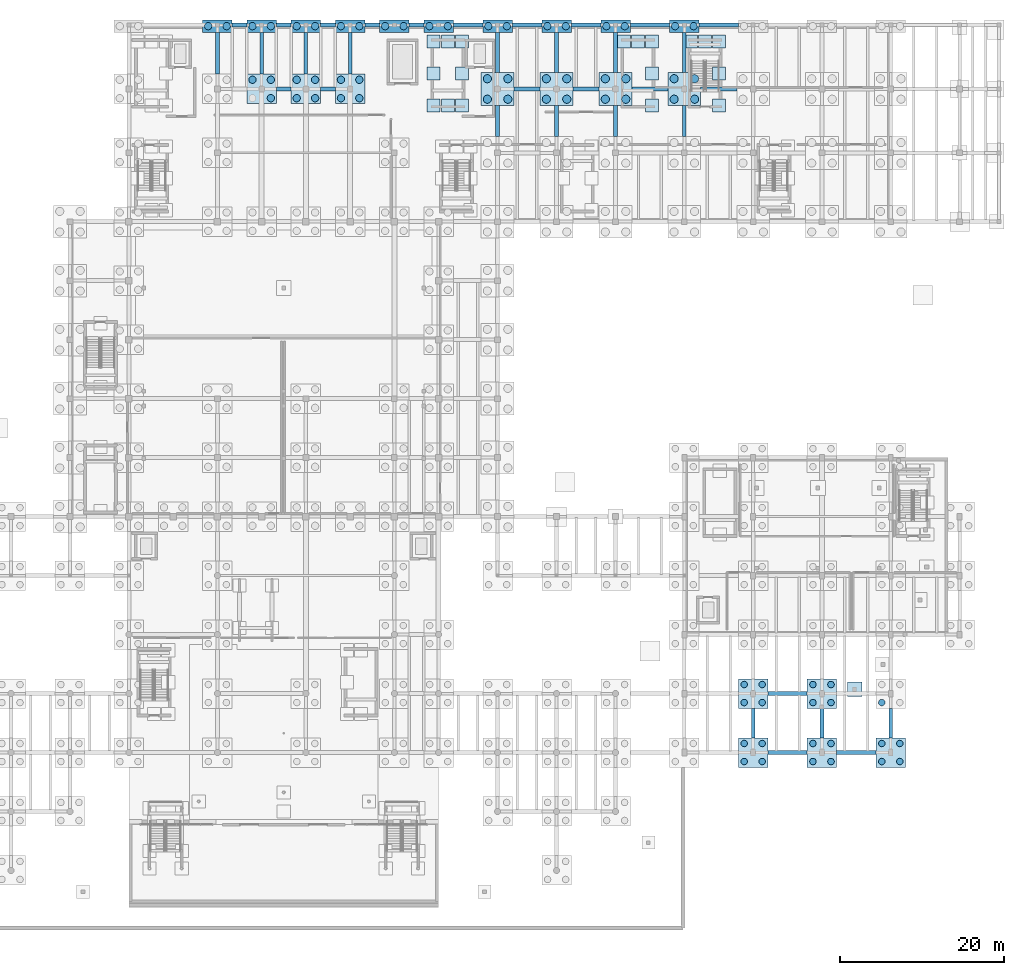
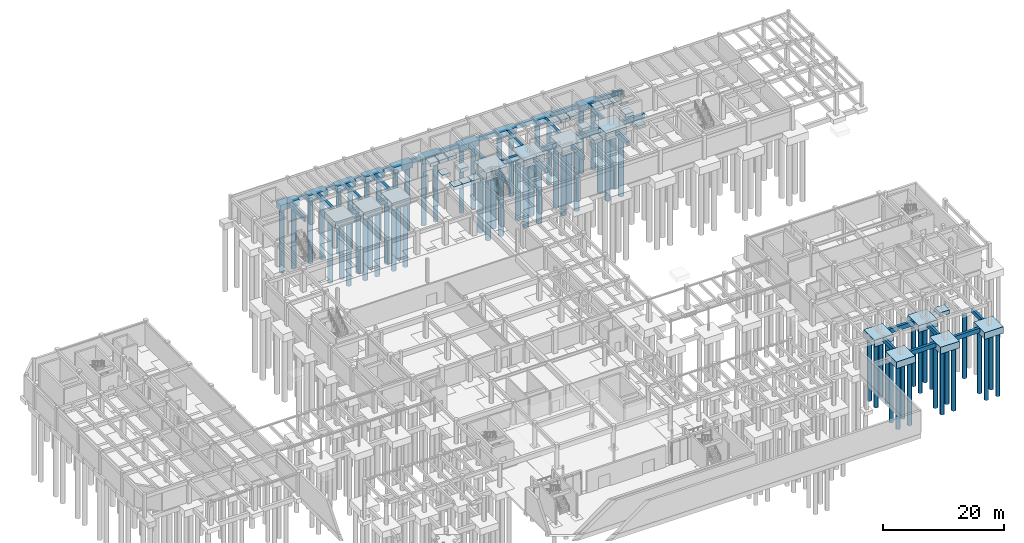
# One storey, part 7 of 46: 75 footings, 68 piles.
"""IFC4 building model written with IfcOpenShell, lengths in metres."""

from ifc_helpers import new_model, si_unit, direction, frame, origin, origin_2d, place, context, subcontext, project, spatial, rectangle, circle, extrude, material, material_profile, profile_set, type_object, element, save


model = new_model("IFC4")

# Units and contexts
model_context = context("Model", 3, precision=1e-05, world=origin(), true_north=direction((0.0, 1.0)))
body_context = subcontext(model_context, "Body", "Model", "MODEL_VIEW")
ifc_project = project(units=[si_unit("LENGTHUNIT", "METRE"), si_unit("AREAUNIT", "SQUARE_METRE"), si_unit("VOLUMEUNIT", "CUBIC_METRE"), si_unit("PLANEANGLEUNIT", "RADIAN"), si_unit("MASSUNIT", "GRAM", prefix="KILO")], contexts=[model_context])

# Site, building, storey
site_placement = place(None, origin())
site = spatial("IfcSite", under=ifc_project, at=site_placement, CompositionType="ELEMENT")
building_placement = place(site_placement, origin())
building = spatial("IfcBuilding", under=site, at=building_placement, Name="Tazoul Stagehouse", CompositionType="ELEMENT")
storey_placement = place(building_placement, frame((0.0, 0.0, -4.800048828125)))
storey = spatial("IfcBuildingStorey", under=building, at=storey_placement, Name="B1", CompositionType="ELEMENT", Elevation=-4.800048828125)

# Piles
ifc_material = material(Name="Concrete C35/45", Category="concrete")
ifc_material_profile_1 = material_profile(ifc_material, circle(Radius=0.5, at=origin_2d()), Name="BORED PILE 1000")
ifc_profile_set_1 = profile_set([ifc_material_profile_1], Name="Concrete C35/45")
pile_type_1 = type_object("IfcPileType", Name="Bored Cast-in-Place Concrete Pile D1000", PredefinedType="BORED", material=ifc_profile_set_1)
for number, where, z_axis, x_axis, name in (
    (1, (101.35009765625, 102.75, -1.449951171875), (0.0, 0.0, -1.0), (1.0, 0.0, 0.0), "Bored Pile PL-03 16/Q-1"),
    (2, (103.85009765625, 102.75, -1.449951171875), (0.0, 0.0, -1.0), (1.0, 0.0, 0.0), "Bored Pile PL-03 16/Q-2"),
    (3, (101.35009765625, 105.25, -1.449951171875), (0.0, 0.0, -1.0), (1.0, 0.0, 0.0), "Bored Pile PL-03 16/Q-3"),
    (4, (103.85009765625, 105.25, -1.449951171875), (0.0, 0.0, -1.0), (1.0, 0.0, 0.0), "Bored Pile PL-03 16/Q-4"),
    (5, (108.550048828125, 102.75, -1.449951171875), (0.0, 0.0, -1.0), (1.0, 0.0, 0.0), "Bored Pile PL-03 17/Q-1"),
    (6, (111.050048828125, 102.75, -1.449951171875), (0.0, 0.0, -1.0), (1.0, 0.0, 0.0), "Bored Pile PL-03 17/Q-2"),
    (7, (108.550048828125, 105.25, -1.449951171875), (0.0, 0.0, -1.0), (1.0, 0.0, 0.0), "Bored Pile PL-03 17/Q-3"),
    (8, (111.050048828125, 105.25, -1.449951171875), (0.0, 0.0, -1.0), (1.0, 0.0, 0.0), "Bored Pile PL-03 17/Q-4"),
    (9, (115.75, 102.75, -1.449951171875), (0.0, 0.0, -1.0), (1.0, 0.0, 0.0), "Bored Pile PL-03 18/Q-1"),
    (10, (118.25, 102.75, -1.449951171875), (0.0, 0.0, -1.0), (1.0, 0.0, 0.0), "Bored Pile PL-03 18/Q-2"),
    (11, (115.75, 105.25, -1.449951171875), (0.0, 0.0, -1.0), (1.0, 0.0, 0.0), "Bored Pile PL-03 18/Q-3"),
    (12, (118.25, 105.25, -1.449951171875), (0.0, 0.0, -1.0), (1.0, 0.0, 0.0), "Bored Pile PL-03 18/Q-4"),
    (13, (124.14990234375, 102.75, -1.449951171875), (0.0, 0.0, -1.0), (1.0, 0.0, 0.0), "Bored Pile PL-03 19/Q-1"),
    (14, (126.64990234375, 102.75, -1.449951171875), (0.0, 0.0, -1.0), (1.0, 0.0, 0.0), "Bored Pile PL-03 19/Q-2"),
    (15, (124.14990234375, 105.25, -1.449951171875), (0.0, 0.0, -1.0), (1.0, 0.0, 0.0), "Bored Pile PL-03 19/Q-3"),
    (16, (126.64990234375, 105.25, -1.449951171875), (0.0, 0.0, -1.0), (1.0, 0.0, 0.0), "Bored Pile PL-03 19/Q-4"),
):
    element("IfcPile", number, at=place(storey_placement, frame(where, z_axis=z_axis, x_axis=x_axis)), inside=storey, type_object=pile_type_1, Name=name, PredefinedType="BORED", context=body_context, shape_type="SweptSolid", body=[
        extrude(circle(Radius=0.5, at=origin_2d()), origin(), (0.0, 0.0, 1.0), 12.550048828125),
    ])
ifc_material_profile_2 = material_profile(ifc_material, circle(Radius=0.39990234375, at=origin_2d()), Name="BORED PILE 800")
ifc_profile_set_2 = profile_set([ifc_material_profile_2], Name="Concrete C35/45")
pile_type_2 = type_object("IfcPileType", Name="Bored Cast-in-Place Concrete Pile D800", PredefinedType="BORED", material=ifc_profile_set_2)
for number, where, z_axis, x_axis, name in (
    (17, (132.699951171875, 21.89990234375, -1.25), (0.0, 0.0, -1.0), (1.0, 0.0, 0.0), "Bored Pile PL-01 20/D-1"),
    (18, (134.89990234375, 21.89990234375, -1.25), (0.0, 0.0, -1.0), (1.0, 0.0, 0.0), "Bored Pile PL-01 20/D-2"),
    (19, (132.699951171875, 24.10009765625, -1.25), (0.0, 0.0, -1.0), (1.0, 0.0, 0.0), "Bored Pile PL-01 20/D-3"),
    (20, (134.89990234375, 24.10009765625, -1.25), (0.0, 0.0, -1.0), (1.0, 0.0, 0.0), "Bored Pile PL-01 20/D-4"),
    (21, (132.699951171875, 29.10009765625, -1.25), (0.0, 0.0, -1.0), (1.0, 0.0, 0.0), "Bored Pile PL-01 20/E-1"),
    (22, (134.89990234375, 29.10009765625, -1.25), (0.0, 0.0, -1.0), (1.0, 0.0, 0.0), "Bored Pile PL-01 20/E-2"),
    (23, (132.699951171875, 31.300048828125, -1.25), (0.0, 0.0, -1.0), (1.0, 0.0, 0.0), "Bored Pile PL-01 20/E-3"),
    (24, (134.89990234375, 31.300048828125, -1.25), (0.0, 0.0, -1.0), (1.0, 0.0, 0.0), "Bored Pile PL-01 20/E-4"),
    (25, (141.10009765625, 21.89990234375, -1.25), (0.0, 0.0, -1.0), (1.0, 0.0, 0.0), "Bored Pile PL-01 21/D-1"),
    (26, (143.300048828125, 21.89990234375, -1.25), (0.0, 0.0, -1.0), (1.0, 0.0, 0.0), "Bored Pile PL-01 21/D-2"),
    (27, (141.10009765625, 24.10009765625, -1.25), (0.0, 0.0, -1.0), (1.0, 0.0, 0.0), "Bored Pile PL-01 21/D-3"),
    (28, (143.300048828125, 24.10009765625, -1.25), (0.0, 0.0, -1.0), (1.0, 0.0, 0.0), "Bored Pile PL-01 21/D-4"),
    (29, (141.10009765625, 29.10009765625, -1.25), (0.0, 0.0, -1.0), (1.0, 0.0, 0.0), "Bored Pile PL-01 21/E-1"),
    (30, (143.300048828125, 29.10009765625, -1.25), (0.0, 0.0, -1.0), (1.0, 0.0, 0.0), "Bored Pile PL-01 21/E-2"),
    (31, (141.10009765625, 31.300048828125, -1.25), (0.0, 0.0, -1.0), (1.0, 0.0, 0.0), "Bored Pile PL-01 21/E-3"),
    (32, (143.300048828125, 31.300048828125, -1.25), (0.0, 0.0, -1.0), (1.0, 0.0, 0.0), "Bored Pile PL-01 21/E-4"),
    (33, (149.5, 21.89990234375, -1.25), (0.0, 0.0, -1.0), (1.0, 0.0, 0.0), "Bored Pile PL-01 22/D-1"),
    (34, (151.699951171875, 21.89990234375, -1.25), (0.0, 0.0, -1.0), (1.0, 0.0, 0.0), "Bored Pile PL-01 22/D-2"),
    (35, (149.5, 24.10009765625, -1.25), (0.0, 0.0, -1.0), (1.0, 0.0, 0.0), "Bored Pile PL-01 22/D-3"),
    (36, (151.699951171875, 24.10009765625, -1.25), (0.0, 0.0, -1.0), (1.0, 0.0, 0.0), "Bored Pile PL-01 22/D-4"),
    (37, (149.5, 29.10009765625, -1.25), (0.0, 0.0, -1.0), (1.0, 0.0, 0.0), "Bored Pile PL-01 22/E-1"),
):
    element("IfcPile", number, at=place(storey_placement, frame(where, z_axis=z_axis, x_axis=x_axis)), inside=storey, type_object=pile_type_2, Name=name, PredefinedType="BORED", context=body_context, shape_type="SweptSolid", body=[
        extrude(circle(Radius=0.39990234375, at=origin_2d()), origin(), (0.0, 0.0, 1.0), 12.75),
    ])
ifc_material_profile_3 = material_profile(ifc_material, circle(Radius=0.449951171875, at=origin_2d()), Name="BORED PILE 900")
ifc_profile_set_3 = profile_set([ifc_material_profile_3], Name="Concrete C35/45")
pile_type_3 = type_object("IfcPileType", Name="Bored Cast-in-Place Concrete Pile D900", PredefinedType="BORED", material=ifc_profile_set_3)
for number, where, z_axis, x_axis, name in (
    (38, (67.27490234375, 111.669921875, -1.099853515625), (0.0, 0.0, -1.0), (1.0, 0.0, 0.0), "Bored Pile PL-02 10/R-1"),
    (39, (69.52490234375, 111.669921875, -1.099853515625), (0.0, 0.0, -1.0), (1.0, 0.0, 0.0), "Bored Pile PL-02 10/R-2"),
):
    element("IfcPile", number, at=place(storey_placement, frame(where, z_axis=z_axis, x_axis=x_axis)), inside=storey, type_object=pile_type_3, Name=name, PredefinedType="BORED", context=body_context, shape_type="SweptSolid", body=[
        extrude(circle(Radius=0.449951171875, at=origin_2d()), origin(), (0.0, 0.0, 1.0), 12.89990234375),
    ])
for number, where, z_axis, x_axis, name in (
    (40, (74.925048828125, 102.875, -1.25), (0.0, 0.0, -1.0), (1.0, 0.0, 0.0), "Bored Pile PL-02 11/Q-2"),
    (41, (72.675048828125, 105.125, -1.25), (0.0, 0.0, -1.0), (1.0, 0.0, 0.0), "Bored Pile PL-02 11/Q-3"),
    (42, (74.925048828125, 105.125, -1.25), (0.0, 0.0, -1.0), (1.0, 0.0, 0.0), "Bored Pile PL-02 11/Q-4"),
):
    element("IfcPile", number, at=place(storey_placement, frame(where, z_axis=z_axis, x_axis=x_axis)), inside=storey, type_object=pile_type_3, Name=name, PredefinedType="BORED", context=body_context, shape_type="SweptSolid", body=[
        extrude(circle(Radius=0.449951171875, at=origin_2d()), origin(), (0.0, 0.0, 1.0), 12.75),
    ])
for number, where, z_axis, x_axis, name in (
    (43, (72.675048828125, 111.669921875, -1.099853515625), (0.0, 0.0, -1.0), (1.0, 0.0, 0.0), "Bored Pile PL-02 11/R-1"),
    (44, (74.925048828125, 111.669921875, -1.099853515625), (0.0, 0.0, -1.0), (1.0, 0.0, 0.0), "Bored Pile PL-02 11/R-2"),
):
    element("IfcPile", number, at=place(storey_placement, frame(where, z_axis=z_axis, x_axis=x_axis)), inside=storey, type_object=pile_type_3, Name=name, PredefinedType="BORED", context=body_context, shape_type="SweptSolid", body=[
        extrude(circle(Radius=0.449951171875, at=origin_2d()), origin(), (0.0, 0.0, 1.0), 12.89990234375),
    ])
for number, where, z_axis, x_axis, name in (
    (45, (78.074951171875, 102.875, -1.25), (0.0, 0.0, -1.0), (1.0, 0.0, 0.0), "Bored Pile PL-02 12/Q-1"),
    (46, (80.324951171875, 102.875, -1.25), (0.0, 0.0, -1.0), (1.0, 0.0, 0.0), "Bored Pile PL-02 12/Q-2"),
    (47, (78.074951171875, 105.125, -1.25), (0.0, 0.0, -1.0), (1.0, 0.0, 0.0), "Bored Pile PL-02 12/Q-3"),
    (48, (80.324951171875, 105.125, -1.25), (0.0, 0.0, -1.0), (1.0, 0.0, 0.0), "Bored Pile PL-02 12/Q-4"),
):
    element("IfcPile", number, at=place(storey_placement, frame(where, z_axis=z_axis, x_axis=x_axis)), inside=storey, type_object=pile_type_3, Name=name, PredefinedType="BORED", context=body_context, shape_type="SweptSolid", body=[
        extrude(circle(Radius=0.449951171875, at=origin_2d()), origin(), (0.0, 0.0, 1.0), 12.75),
    ])
for number, where, z_axis, x_axis, name in (
    (49, (78.074951171875, 111.669921875, -1.099853515625), (0.0, 0.0, -1.0), (1.0, 0.0, 0.0), "Bored Pile PL-02 12/R-1"),
    (50, (80.324951171875, 111.669921875, -1.099853515625), (0.0, 0.0, -1.0), (1.0, 0.0, 0.0), "Bored Pile PL-02 12/R-2"),
):
    element("IfcPile", number, at=place(storey_placement, frame(where, z_axis=z_axis, x_axis=x_axis)), inside=storey, type_object=pile_type_3, Name=name, PredefinedType="BORED", context=body_context, shape_type="SweptSolid", body=[
        extrude(circle(Radius=0.449951171875, at=origin_2d()), origin(), (0.0, 0.0, 1.0), 12.89990234375),
    ])
for number, where, z_axis, x_axis, name in (
    (51, (83.47509765625, 102.875, -1.25), (0.0, 0.0, -1.0), (1.0, 0.0, 0.0), "Bored Pile PL-02 13/Q-1"),
    (52, (85.72509765625, 102.875, -1.25), (0.0, 0.0, -1.0), (1.0, 0.0, 0.0), "Bored Pile PL-02 13/Q-2"),
    (53, (83.47509765625, 105.125, -1.25), (0.0, 0.0, -1.0), (1.0, 0.0, 0.0), "Bored Pile PL-02 13/Q-3"),
    (54, (85.72509765625, 105.125, -1.25), (0.0, 0.0, -1.0), (1.0, 0.0, 0.0), "Bored Pile PL-02 13/Q-4"),
):
    element("IfcPile", number, at=place(storey_placement, frame(where, z_axis=z_axis, x_axis=x_axis)), inside=storey, type_object=pile_type_3, Name=name, PredefinedType="BORED", context=body_context, shape_type="SweptSolid", body=[
        extrude(circle(Radius=0.449951171875, at=origin_2d()), origin(), (0.0, 0.0, 1.0), 12.75),
    ])
for number, where, z_axis, x_axis, name in (
    (55, (83.47509765625, 111.669921875, -1.099853515625), (0.0, 0.0, -1.0), (1.0, 0.0, 0.0), "Bored Pile PL-02 13/R-1"),
    (56, (85.72509765625, 111.669921875, -1.099853515625), (0.0, 0.0, -1.0), (1.0, 0.0, 0.0), "Bored Pile PL-02 13/R-2"),
    (57, (88.875, 111.669921875, -1.099853515625), (0.0, 0.0, -1.0), (1.0, 0.0, 0.0), "Bored Pile PL-02 14/R-1"),
    (58, (91.125, 111.669921875, -1.099853515625), (0.0, 0.0, -1.0), (1.0, 0.0, 0.0), "Bored Pile PL-02 14/R-2"),
    (59, (94.27490234375, 111.669921875, -1.099853515625), (0.0, 0.0, -1.0), (1.0, 0.0, 0.0), "Bored Pile PL-02 15/R-1"),
    (60, (96.52490234375, 111.669921875, -1.099853515625), (0.0, 0.0, -1.0), (1.0, 0.0, 0.0), "Bored Pile PL-02 15/R-2"),
    (61, (101.47509765625, 111.669921875, -1.099853515625), (0.0, 0.0, -1.0), (1.0, 0.0, 0.0), "Bored Pile PL-02 16/R-1"),
    (62, (103.72509765625, 111.669921875, -1.099853515625), (0.0, 0.0, -1.0), (1.0, 0.0, 0.0), "Bored Pile PL-02 16/R-2"),
    (63, (108.675048828125, 111.669921875, -1.099853515625), (0.0, 0.0, -1.0), (1.0, 0.0, 0.0), "Bored Pile PL-02 17/R-1"),
    (64, (110.925048828125, 111.669921875, -1.099853515625), (0.0, 0.0, -1.0), (1.0, 0.0, 0.0), "Bored Pile PL-02 17/R-2"),
    (65, (115.875, 111.669921875, -1.099853515625), (0.0, 0.0, -1.0), (1.0, 0.0, 0.0), "Bored Pile PL-02 18/R-1"),
    (66, (118.125, 111.669921875, -1.099853515625), (0.0, 0.0, -1.0), (1.0, 0.0, 0.0), "Bored Pile PL-02 18/R-2"),
    (67, (124.27490234375, 111.669921875, -1.099853515625), (0.0, 0.0, -1.0), (1.0, 0.0, 0.0), "Bored Pile PL-02 19/R-1"),
    (68, (126.52490234375, 111.669921875, -1.099853515625), (0.0, 0.0, -1.0), (1.0, 0.0, 0.0), "Bored Pile PL-02 19/R-2"),
):
    element("IfcPile", number, at=place(storey_placement, frame(where, z_axis=z_axis, x_axis=x_axis)), inside=storey, type_object=pile_type_3, Name=name, PredefinedType="BORED", context=body_context, shape_type="SweptSolid", body=[
        extrude(circle(Radius=0.449951171875, at=origin_2d()), origin(), (0.0, 0.0, 1.0), 12.89990234375),
    ])

# Footings
footing_type_1 = type_object("IfcFootingType", Name="Four-Pile Cap 3600x3600x1350", PredefinedType="PILE_CAP", material=ifc_material)
for number, where, z_axis, x_axis, name in (
    (69, (73.800048828125, 104.0, -1.35009765625), (0.0, 0.0, 1.0), (1.0, 0.0, 0.0), "Pile Cap PC-04 at 11/Q"),
    (70, (79.199951171875, 104.0, -1.35009765625), (0.0, 0.0, 1.0), (1.0, 0.0, 0.0), "Pile Cap PC-04 at 12/Q"),
    (71, (84.60009765625, 104.0, -1.35009765625), (0.0, 0.0, 1.0), (1.0, 0.0, 0.0), "Pile Cap PC-04 at 13/Q"),
    (72, (133.800048828125, 23.0, -1.35009765625), (0.0, 0.0, 1.0), (1.0, 0.0, 0.0), "Pile Cap PC-04 at 20/D"),
    (73, (133.800048828125, 30.199951171875, -1.35009765625), (0.0, 0.0, 1.0), (1.0, 0.0, 0.0), "Pile Cap PC-04 at 20/E"),
    (74, (142.199951171875, 23.0, -1.35009765625), (0.0, 0.0, 1.0), (1.0, 0.0, 0.0), "Pile Cap PC-04 at 21/D"),
    (75, (142.199951171875, 30.199951171875, -1.35009765625), (0.0, 0.0, 1.0), (1.0, 0.0, 0.0), "Pile Cap PC-04 at 21/E"),
    (76, (150.60009765625, 23.0, -1.35009765625), (0.0, 0.0, 1.0), (1.0, 0.0, 0.0), "Pile Cap PC-04 at 22/D"),
):
    element("IfcFooting", number, at=place(storey_placement, frame(where, z_axis=z_axis, x_axis=x_axis)), inside=storey, type_object=footing_type_1, Name=name, PredefinedType="PILE_CAP", context=body_context, shape_type="SweptSolid", body=[
        extrude(rectangle(XDim=3.60009765625, YDim=3.60009765625, at=origin_2d()), origin(), (0.0, 0.0, 1.0), 1.35009765625),
    ])
footing_type_2 = type_object("IfcFootingType", Name="Four-Pile Cap 4000x4000x1550", PredefinedType="PILE_CAP", material=ifc_material)
for number, where, z_axis, x_axis, name in (
    (77, (102.60009765625, 104.0, -1.5498046875), (0.0, 0.0, 1.0), (1.0, 0.0, 0.0), "Pile Cap PC-06 at 16/Q"),
    (78, (109.800048828125, 104.0, -1.5498046875), (0.0, 0.0, 1.0), (1.0, 0.0, 0.0), "Pile Cap PC-06 at 17/Q"),
    (79, (117.0, 104.0, -1.5498046875), (0.0, 0.0, 1.0), (1.0, 0.0, 0.0), "Pile Cap PC-06 at 18/Q"),
    (80, (125.39990234375, 104.0, -1.5498046875), (0.0, 0.0, 1.0), (1.0, 0.0, 0.0), "Pile Cap PC-06 at 19/Q"),
):
    element("IfcFooting", number, at=place(storey_placement, frame(where, z_axis=z_axis, x_axis=x_axis)), inside=storey, type_object=footing_type_2, Name=name, PredefinedType="PILE_CAP", context=body_context, shape_type="SweptSolid", body=[
        extrude(rectangle(XDim=4.0, YDim=4.0, at=origin_2d()), origin(), (0.0, 0.0, 1.0), 1.550048828125),
    ])
ifc_material_profile_4 = material_profile(ifc_material, rectangle(XDim=0.449951171875, YDim=0.800048828125, at=origin_2d()), Name="RC 450x800")
ifc_profile_set_4 = profile_set([ifc_material_profile_4], Name="Concrete C35/45")
footing_type_3 = type_object("IfcFootingType", Name="Ground Tie Beam 450x800", PredefinedType="FOOTING_BEAM", material=ifc_profile_set_4)
for number, where, z_axis, x_axis, name in (
    (81, (68.39990234375, 105.800048828125, -0.39990234375), (0.0, 1.0, 0.0), (-1.0, 0.0, 0.0), "Ground Tie Beam GB-01 10/Q-R"),
    (82, (73.800048828125, 105.800048828125, -0.39990234375), (0.0, 1.0, 0.0), (-1.0, 0.0, 0.0), "Ground Tie Beam GB-01 11/Q-R"),
    (83, (79.199951171875, 105.800048828125, -0.39990234375), (0.0, 1.0, 0.0), (-1.0, 0.0, 0.0), "Ground Tie Beam GB-01 12/Q-R"),
    (84, (84.60009765625, 105.800048828125, -0.39990234375), (0.0, 1.0, 0.0), (-1.0, 0.0, 0.0), "Ground Tie Beam GB-01 13/Q-R"),
):
    element("IfcFooting", number, at=place(storey_placement, frame(where, z_axis=z_axis, x_axis=x_axis)), inside=storey, type_object=footing_type_3, Name=name, PredefinedType="FOOTING_BEAM", context=body_context, shape_type="SweptSolid", body=[
        extrude(rectangle(XDim=0.449951171875, YDim=0.800048828125, at=origin_2d()), origin(), (0.0, 0.0, 1.0), 5.119873046875),
    ])
footing_1_placement = place(storey_placement, frame((102.60009765625, 98.199951171875, -0.39990234375), z_axis=(0.0, 1.0, 0.0), x_axis=(-1.0, 0.0, 0.0)))
element("IfcFooting", 85, at=footing_1_placement, inside=storey, type_object=footing_type_3, Name="Ground Tie Beam GB-01 16/P-Q", PredefinedType="FOOTING_BEAM", context=body_context, shape_type="SweptSolid", body=[
    extrude(rectangle(XDim=0.449951171875, YDim=0.800048828125, at=origin_2d()), origin(), (0.0, 0.0, 1.0), 3.800048828125),
])
footing_2_placement = place(storey_placement, frame((102.60009765625, 106.0, -0.39990234375), z_axis=(0.0, 1.0, 0.0), x_axis=(-1.0, 0.0, 0.0)))
element("IfcFooting", 86, at=footing_2_placement, inside=storey, type_object=footing_type_3, Name="Ground Tie Beam GB-01 16/Q-R", PredefinedType="FOOTING_BEAM", context=body_context, shape_type="SweptSolid", body=[
    extrude(rectangle(XDim=0.449951171875, YDim=0.800048828125, at=origin_2d()), origin(), (0.0, 0.0, 1.0), 4.919921875),
])
footing_3_placement = place(storey_placement, frame((109.800048828125, 98.199951171875, -0.39990234375), z_axis=(0.0, 1.0, 0.0), x_axis=(-1.0, 0.0, 0.0)))
element("IfcFooting", 87, at=footing_3_placement, inside=storey, type_object=footing_type_3, Name="Ground Tie Beam GB-01 17/P-Q", PredefinedType="FOOTING_BEAM", context=body_context, shape_type="SweptSolid", body=[
    extrude(rectangle(XDim=0.449951171875, YDim=0.800048828125, at=origin_2d()), origin(), (0.0, 0.0, 1.0), 3.800048828125),
])
footing_4_placement = place(storey_placement, frame((109.800048828125, 106.0, -0.39990234375), z_axis=(0.0, 1.0, 0.0), x_axis=(-1.0, 0.0, 0.0)))
element("IfcFooting", 88, at=footing_4_placement, inside=storey, type_object=footing_type_3, Name="Ground Tie Beam GB-01 17/Q-R", PredefinedType="FOOTING_BEAM", context=body_context, shape_type="SweptSolid", body=[
    extrude(rectangle(XDim=0.449951171875, YDim=0.800048828125, at=origin_2d()), origin(), (0.0, 0.0, 1.0), 4.919921875),
])
footing_5_placement = place(storey_placement, frame((117.0, 98.199951171875, -0.39990234375), z_axis=(0.0, 1.0, 0.0), x_axis=(-1.0, 0.0, 0.0)))
element("IfcFooting", 89, at=footing_5_placement, inside=storey, type_object=footing_type_3, Name="Ground Tie Beam GB-01 18/P-Q", PredefinedType="FOOTING_BEAM", context=body_context, shape_type="SweptSolid", body=[
    extrude(rectangle(XDim=0.449951171875, YDim=0.800048828125, at=origin_2d()), origin(), (0.0, 0.0, 1.0), 3.800048828125),
])
footing_6_placement = place(storey_placement, frame((117.0, 106.0, -0.39990234375), z_axis=(0.0, 1.0, 0.0), x_axis=(-1.0, 0.0, 0.0)))
element("IfcFooting", 90, at=footing_6_placement, inside=storey, type_object=footing_type_3, Name="Ground Tie Beam GB-01 18/Q-R", PredefinedType="FOOTING_BEAM", context=body_context, shape_type="SweptSolid", body=[
    extrude(rectangle(XDim=0.449951171875, YDim=0.800048828125, at=origin_2d()), origin(), (0.0, 0.0, 1.0), 4.919921875),
])
footing_7_placement = place(storey_placement, frame((125.39990234375, 98.199951171875, -0.39990234375), z_axis=(0.0, 1.0, 0.0), x_axis=(-1.0, 0.0, 0.0)))
element("IfcFooting", 91, at=footing_7_placement, inside=storey, type_object=footing_type_3, Name="Ground Tie Beam GB-01 19/P-Q", PredefinedType="FOOTING_BEAM", context=body_context, shape_type="SweptSolid", body=[
    extrude(rectangle(XDim=0.449951171875, YDim=0.800048828125, at=origin_2d()), origin(), (0.0, 0.0, 1.0), 3.800048828125),
])
footing_8_placement = place(storey_placement, frame((125.39990234375, 106.0, -0.39990234375), z_axis=(0.0, 1.0, 0.0), x_axis=(-1.0, 0.0, 0.0)))
element("IfcFooting", 92, at=footing_8_placement, inside=storey, type_object=footing_type_3, Name="Ground Tie Beam GB-01 19/Q-R", PredefinedType="FOOTING_BEAM", context=body_context, shape_type="SweptSolid", body=[
    extrude(rectangle(XDim=0.449951171875, YDim=0.800048828125, at=origin_2d()), origin(), (0.0, 0.0, 1.0), 4.919921875),
])
for number, where, z_axis, x_axis, name in (
    (93, (133.800048828125, 24.800048828125, -0.39990234375), (0.0, 1.0, 0.0), (-1.0, 0.0, 0.0), "Ground Tie Beam GB-01 20/D-E"),
    (94, (142.199951171875, 24.800048828125, -0.39990234375), (0.0, 1.0, 0.0), (-1.0, 0.0, 0.0), "Ground Tie Beam GB-01 21/D-E"),
    (95, (150.60009765625, 24.800048828125, -0.39990234375), (0.0, 1.0, 0.0), (-1.0, 0.0, 0.0), "Ground Tie Beam GB-01 22/D-E"),
):
    element("IfcFooting", number, at=place(storey_placement, frame(where, z_axis=z_axis, x_axis=x_axis)), inside=storey, type_object=footing_type_3, Name=name, PredefinedType="FOOTING_BEAM", context=body_context, shape_type="SweptSolid", body=[
        extrude(rectangle(XDim=0.449951171875, YDim=0.800048828125, at=origin_2d()), origin(), (0.0, 0.0, 1.0), 3.599853515625),
    ])
ifc_material_profile_5 = material_profile(ifc_material, rectangle(XDim=0.5, YDim=0.89990234375, at=origin_2d()), Name="RC 500x900")
ifc_profile_set_5 = profile_set([ifc_material_profile_5], Name="Concrete C35/45")
footing_type_4 = type_object("IfcFootingType", Name="Ground Tie Beam 500x900", PredefinedType="FOOTING_BEAM", material=ifc_profile_set_5)
footing_9_placement = place(storey_placement, frame((135.60009765625, 23.0, -0.449951171875), z_axis=(1.0, 0.0, 0.0), x_axis=(0.0, 1.0, 0.0)))
element("IfcFooting", 96, at=footing_9_placement, inside=storey, type_object=footing_type_4, Name="Ground Tie Beam GB-02 D/20-21", PredefinedType="FOOTING_BEAM", context=body_context, shape_type="SweptSolid", body=[
    extrude(rectangle(XDim=0.5, YDim=0.89990234375, at=origin_2d()), origin(), (0.0, 0.0, 1.0), 4.7998046875),
])
footing_10_placement = place(storey_placement, frame((144.0, 23.0, -0.449951171875), z_axis=(1.0, 0.0, 0.0), x_axis=(0.0, 1.0, 0.0)))
element("IfcFooting", 97, at=footing_10_placement, inside=storey, type_object=footing_type_4, Name="Ground Tie Beam GB-02 D/21-22", PredefinedType="FOOTING_BEAM", context=body_context, shape_type="SweptSolid", body=[
    extrude(rectangle(XDim=0.5, YDim=0.89990234375, at=origin_2d()), origin(), (0.0, 0.0, 1.0), 4.800048828125),
])
footing_11_placement = place(storey_placement, frame((135.60009765625, 30.199951171875, -0.449951171875), z_axis=(1.0, 0.0, 0.0), x_axis=(0.0, 1.0, 0.0)))
element("IfcFooting", 98, at=footing_11_placement, inside=storey, type_object=footing_type_4, Name="Ground Tie Beam GB-02 E/20-21", PredefinedType="FOOTING_BEAM", context=body_context, shape_type="SweptSolid", body=[
    extrude(rectangle(XDim=0.5, YDim=0.89990234375, at=origin_2d()), origin(), (0.0, 0.0, 1.0), 4.7998046875),
])
footing_12_placement = place(storey_placement, frame((75.60009765625, 104.0, -0.449951171875), z_axis=(1.0, 0.0, 0.0), x_axis=(0.0, 1.0, 0.0)))
element("IfcFooting", 99, at=footing_12_placement, inside=storey, type_object=footing_type_4, Name="Ground Tie Beam GB-02 Q/11-12", PredefinedType="FOOTING_BEAM", context=body_context, shape_type="SweptSolid", body=[
    extrude(rectangle(XDim=0.5, YDim=0.89990234375, at=origin_2d()), origin(), (0.0, 0.0, 1.0), 1.7998046875),
])
footing_13_placement = place(storey_placement, frame((81.0, 104.0, -0.449951171875), z_axis=(1.0, 0.0, 0.0), x_axis=(0.0, 1.0, 0.0)))
element("IfcFooting", 100, at=footing_13_placement, inside=storey, type_object=footing_type_4, Name="Ground Tie Beam GB-02 Q/12-13", PredefinedType="FOOTING_BEAM", context=body_context, shape_type="SweptSolid", body=[
    extrude(rectangle(XDim=0.5, YDim=0.89990234375, at=origin_2d()), origin(), (0.0, 0.0, 1.0), 1.800048828125),
])
for number, where, z_axis, x_axis, name in (
    (101, (104.60009765625, 104.0, -0.449951171875), (1.0, 0.0, 0.0), (0.0, 1.0, 0.0), "Ground Tie Beam GB-02 Q/16-17"),
    (102, (111.800048828125, 104.0, -0.449951171875), (1.0, 0.0, 0.0), (0.0, 1.0, 0.0), "Ground Tie Beam GB-02 Q/17-18"),
):
    element("IfcFooting", number, at=place(storey_placement, frame(where, z_axis=z_axis, x_axis=x_axis)), inside=storey, type_object=footing_type_4, Name=name, PredefinedType="FOOTING_BEAM", context=body_context, shape_type="SweptSolid", body=[
        extrude(rectangle(XDim=0.5, YDim=0.89990234375, at=origin_2d()), origin(), (0.0, 0.0, 1.0), 3.199951171875),
    ])
footing_14_placement = place(storey_placement, frame((119.0, 104.0, -0.449951171875), z_axis=(1.0, 0.0, 0.0), x_axis=(0.0, 1.0, 0.0)))
element("IfcFooting", 103, at=footing_14_placement, inside=storey, type_object=footing_type_4, Name="Ground Tie Beam GB-02 Q/18-19", PredefinedType="FOOTING_BEAM", context=body_context, shape_type="SweptSolid", body=[
    extrude(rectangle(XDim=0.5, YDim=0.89990234375, at=origin_2d()), origin(), (0.0, 0.0, 1.0), 4.39990234375),
])
footing_15_placement = place(storey_placement, frame((127.39990234375, 104.0, -0.449951171875), z_axis=(1.0, 0.0, 0.0), x_axis=(0.0, 1.0, 0.0)))
element("IfcFooting", 104, at=footing_15_placement, inside=storey, type_object=footing_type_4, Name="Ground Tie Beam GB-02 Q/19-20", PredefinedType="FOOTING_BEAM", context=body_context, shape_type="SweptSolid", body=[
    extrude(rectangle(XDim=0.5, YDim=0.89990234375, at=origin_2d()), origin(), (0.0, 0.0, 1.0), 4.400146484375),
])
footing_16_placement = place(storey_placement, frame((70.199951171875, 111.800048828125, -0.449951171875), z_axis=(1.0, 0.0, 0.0), x_axis=(0.0, 1.0, 0.0)))
element("IfcFooting", 105, at=footing_16_placement, inside=storey, type_object=footing_type_4, Name="Ground Tie Beam GB-02 R/10-11", PredefinedType="FOOTING_BEAM", context=body_context, shape_type="SweptSolid", body=[
    extrude(rectangle(XDim=0.5, YDim=0.89990234375, at=origin_2d()), origin(), (0.0, 0.0, 1.0), 1.800048828125),
])
footing_17_placement = place(storey_placement, frame((75.60009765625, 111.800048828125, -0.449951171875), z_axis=(1.0, 0.0, 0.0), x_axis=(0.0, 1.0, 0.0)))
element("IfcFooting", 106, at=footing_17_placement, inside=storey, type_object=footing_type_4, Name="Ground Tie Beam GB-02 R/11-12", PredefinedType="FOOTING_BEAM", context=body_context, shape_type="SweptSolid", body=[
    extrude(rectangle(XDim=0.5, YDim=0.89990234375, at=origin_2d()), origin(), (0.0, 0.0, 1.0), 1.7998046875),
])
for number, where, z_axis, x_axis, name in (
    (107, (81.0, 111.800048828125, -0.449951171875), (1.0, 0.0, 0.0), (0.0, 1.0, 0.0), "Ground Tie Beam GB-02 R/12-13"),
    (108, (86.39990234375, 111.800048828125, -0.449951171875), (1.0, 0.0, 0.0), (0.0, 1.0, 0.0), "Ground Tie Beam GB-02 R/13-14"),
    (109, (91.800048828125, 111.800048828125, -0.449951171875), (1.0, 0.0, 0.0), (0.0, 1.0, 0.0), "Ground Tie Beam GB-02 R/14-15"),
):
    element("IfcFooting", number, at=place(storey_placement, frame(where, z_axis=z_axis, x_axis=x_axis)), inside=storey, type_object=footing_type_4, Name=name, PredefinedType="FOOTING_BEAM", context=body_context, shape_type="SweptSolid", body=[
        extrude(rectangle(XDim=0.5, YDim=0.89990234375, at=origin_2d()), origin(), (0.0, 0.0, 1.0), 1.800048828125),
    ])
for number, where, z_axis, x_axis, name in (
    (110, (97.199951171875, 111.800048828125, -0.449951171875), (1.0, 0.0, 0.0), (0.0, 1.0, 0.0), "Ground Tie Beam GB-02 R/15-16"),
    (111, (104.39990234375, 111.800048828125, -0.449951171875), (1.0, 0.0, 0.0), (0.0, 1.0, 0.0), "Ground Tie Beam GB-02 R/16-17"),
):
    element("IfcFooting", number, at=place(storey_placement, frame(where, z_axis=z_axis, x_axis=x_axis)), inside=storey, type_object=footing_type_4, Name=name, PredefinedType="FOOTING_BEAM", context=body_context, shape_type="SweptSolid", body=[
        extrude(rectangle(XDim=0.5, YDim=0.89990234375, at=origin_2d()), origin(), (0.0, 0.0, 1.0), 3.60009765625),
    ])
footing_18_placement = place(storey_placement, frame((111.60009765625, 111.800048828125, -0.449951171875), z_axis=(1.0, 0.0, 0.0), x_axis=(0.0, 1.0, 0.0)))
element("IfcFooting", 112, at=footing_18_placement, inside=storey, type_object=footing_type_4, Name="Ground Tie Beam GB-02 R/17-18", PredefinedType="FOOTING_BEAM", context=body_context, shape_type="SweptSolid", body=[
    extrude(rectangle(XDim=0.5, YDim=0.89990234375, at=origin_2d()), origin(), (0.0, 0.0, 1.0), 3.599853515625),
])
for number, where, z_axis, x_axis, name in (
    (113, (118.800048828125, 111.800048828125, -0.449951171875), (1.0, 0.0, 0.0), (0.0, 1.0, 0.0), "Ground Tie Beam GB-02 R/18-19"),
    (114, (127.199951171875, 111.800048828125, -0.449951171875), (1.0, 0.0, 0.0), (0.0, 1.0, 0.0), "Ground Tie Beam GB-02 R/19-20"),
):
    element("IfcFooting", number, at=place(storey_placement, frame(where, z_axis=z_axis, x_axis=x_axis)), inside=storey, type_object=footing_type_4, Name=name, PredefinedType="FOOTING_BEAM", context=body_context, shape_type="SweptSolid", body=[
        extrude(rectangle(XDim=0.5, YDim=0.89990234375, at=origin_2d()), origin(), (0.0, 0.0, 1.0), 4.800048828125),
    ])
footing_type_5 = type_object("IfcFootingType", Name="Spread Pad Footing 1600x1600x700", PredefinedType="PAD_FOOTING", material=ifc_material)
for number, where, z_axis, x_axis, name in (
    (115, (94.800048828125, 102.0, -0.69970703125), (0.0, 0.0, 1.0), (1.0, 0.0, 0.0), "Core Support Pad Footing PF-01 (C1U1)"),
    (116, (98.25, 109.800048828125, -0.69970703125), (0.0, 0.0, 1.0), (1.0, 0.0, 0.0), "Core Support Pad Footing PF-01 (C1U2)"),
    (117, (94.800048828125, 109.800048828125, -0.69970703125), (0.0, 0.0, 1.0), (1.0, 0.0, 0.0), "Core Support Pad Footing PF-01 (C1U3)"),
    (118, (98.25, 102.0, -0.69970703125), (0.0, 0.0, 1.0), (1.0, 0.0, 0.0), "Core Support Pad Footing PF-01 (C1U4)"),
    (119, (96.52490234375, 102.0, -0.69970703125), (0.0, 0.0, 1.0), (1.0, 0.0, 0.0), "Core Support Pad Footing PF-01 (C1U5)"),
    (120, (96.52490234375, 109.800048828125, -0.69970703125), (0.0, 0.0, 1.0), (1.0, 0.0, 0.0), "Core Support Pad Footing PF-01 (C1U6)"),
    (121, (94.800048828125, 105.89990234375, -0.69970703125), (0.0, 0.0, 1.0), (1.0, 0.0, 0.0), "Core Support Pad Footing PF-01 (C1U7)"),
    (122, (98.25, 105.89990234375, -0.69970703125), (0.0, 0.0, 1.0), (1.0, 0.0, 0.0), "Core Support Pad Footing PF-01 (C1U8)"),
    (123, (121.449951171875, 109.800048828125, -0.69970703125), (0.0, 0.0, 1.0), (1.0, 0.0, 0.0), "Core Support Pad Footing PF-01 (C2U2)"),
    (124, (118.0, 109.800048828125, -0.69970703125), (0.0, 0.0, 1.0), (1.0, 0.0, 0.0), "Core Support Pad Footing PF-01 (C2U3)"),
    (125, (121.449951171875, 102.0, -0.69970703125), (0.0, 0.0, 1.0), (1.0, 0.0, 0.0), "Core Support Pad Footing PF-01 (C2U4)"),
    (126, (119.72509765625, 109.800048828125, -0.69970703125), (0.0, 0.0, 1.0), (1.0, 0.0, 0.0), "Core Support Pad Footing PF-01 (C2U6)"),
    (127, (121.449951171875, 105.89990234375, -0.69970703125), (0.0, 0.0, 1.0), (1.0, 0.0, 0.0), "Core Support Pad Footing PF-01 (C2U8)"),
    (128, (129.64990234375, 109.800048828125, -0.69970703125), (0.0, 0.0, 1.0), (1.0, 0.0, 0.0), "Core Support Pad Footing PF-01 (C2B2)"),
    (129, (126.199951171875, 109.800048828125, -0.69970703125), (0.0, 0.0, 1.0), (1.0, 0.0, 0.0), "Core Support Pad Footing PF-01 (C2B3)"),
    (130, (129.64990234375, 102.0, -0.69970703125), (0.0, 0.0, 1.0), (1.0, 0.0, 0.0), "Core Support Pad Footing PF-01 (C2B4)"),
    (131, (127.925048828125, 109.800048828125, -0.69970703125), (0.0, 0.0, 1.0), (1.0, 0.0, 0.0), "Core Support Pad Footing PF-01 (C2B6)"),
    (132, (129.64990234375, 105.89990234375, -0.69970703125), (0.0, 0.0, 1.0), (1.0, 0.0, 0.0), "Core Support Pad Footing PF-01 (C2B8)"),
):
    element("IfcFooting", number, at=place(storey_placement, frame(where, z_axis=z_axis, x_axis=x_axis)), inside=storey, type_object=footing_type_5, Name=name, PredefinedType="PAD_FOOTING", context=body_context, shape_type="SweptSolid", body=[
        extrude(rectangle(XDim=1.60009765625, YDim=1.60009765625, at=origin_2d()), origin(), (0.0, 0.0, 1.0), 0.699951171875),
    ])
footing_type_6 = type_object("IfcFootingType", Name="Spread Pad Footing 1800x1800x750", PredefinedType="PAD_FOOTING", material=ifc_material)
footing_19_placement = place(storey_placement, frame((146.19189453125, 30.72412109375, -0.75), z_axis=(0.0, 0.0, 1.0), x_axis=(1.0, 0.0, 0.0)))
element("IfcFooting", 133, at=footing_19_placement, inside=storey, type_object=footing_type_6, Name="V4 Studio Drum Radial Footing PF-02 (08)", PredefinedType="PAD_FOOTING", context=body_context, shape_type="SweptSolid", body=[
    extrude(rectangle(XDim=1.800048828125, YDim=1.800048828125, at=origin_2d()), origin(), (0.0, 0.0, 1.0), 0.75),
])
footing_type_7 = type_object("IfcFootingType", Name="Two-Pile Cap 3600x1500x1200", PredefinedType="PILE_CAP", material=ifc_material)
for number, where, z_axis, x_axis, name in (
    (134, (68.39990234375, 111.669921875, -1.19970703125), (0.0, 0.0, 1.0), (1.0, 0.0, 0.0), "Pile Cap PC-01 at 10/R"),
    (135, (73.800048828125, 111.669921875, -1.19970703125), (0.0, 0.0, 1.0), (1.0, 0.0, 0.0), "Pile Cap PC-01 at 11/R"),
    (136, (79.199951171875, 111.669921875, -1.19970703125), (0.0, 0.0, 1.0), (1.0, 0.0, 0.0), "Pile Cap PC-01 at 12/R"),
    (137, (84.60009765625, 111.669921875, -1.19970703125), (0.0, 0.0, 1.0), (1.0, 0.0, 0.0), "Pile Cap PC-01 at 13/R"),
    (138, (90.0, 111.669921875, -1.19970703125), (0.0, 0.0, 1.0), (1.0, 0.0, 0.0), "Pile Cap PC-01 at 14/R"),
    (139, (95.39990234375, 111.669921875, -1.19970703125), (0.0, 0.0, 1.0), (1.0, 0.0, 0.0), "Pile Cap PC-01 at 15/R"),
    (140, (102.60009765625, 111.669921875, -1.19970703125), (0.0, 0.0, 1.0), (1.0, 0.0, 0.0), "Pile Cap PC-01 at 16/R"),
    (141, (109.800048828125, 111.669921875, -1.19970703125), (0.0, 0.0, 1.0), (1.0, 0.0, 0.0), "Pile Cap PC-01 at 17/R"),
    (142, (117.0, 111.669921875, -1.19970703125), (0.0, 0.0, 1.0), (1.0, 0.0, 0.0), "Pile Cap PC-01 at 18/R"),
    (143, (125.39990234375, 111.669921875, -1.19970703125), (0.0, 0.0, 1.0), (1.0, 0.0, 0.0), "Pile Cap PC-01 at 19/R"),
):
    element("IfcFooting", number, at=place(storey_placement, frame(where, z_axis=z_axis, x_axis=x_axis)), inside=storey, type_object=footing_type_7, Name=name, PredefinedType="PILE_CAP", context=body_context, shape_type="SweptSolid", body=[
        extrude(rectangle(XDim=3.60009765625, YDim=1.5, at=origin_2d()), origin(), (0.0, 0.0, 1.0), 1.199951171875),
    ])

save(model, "model.ifc")
